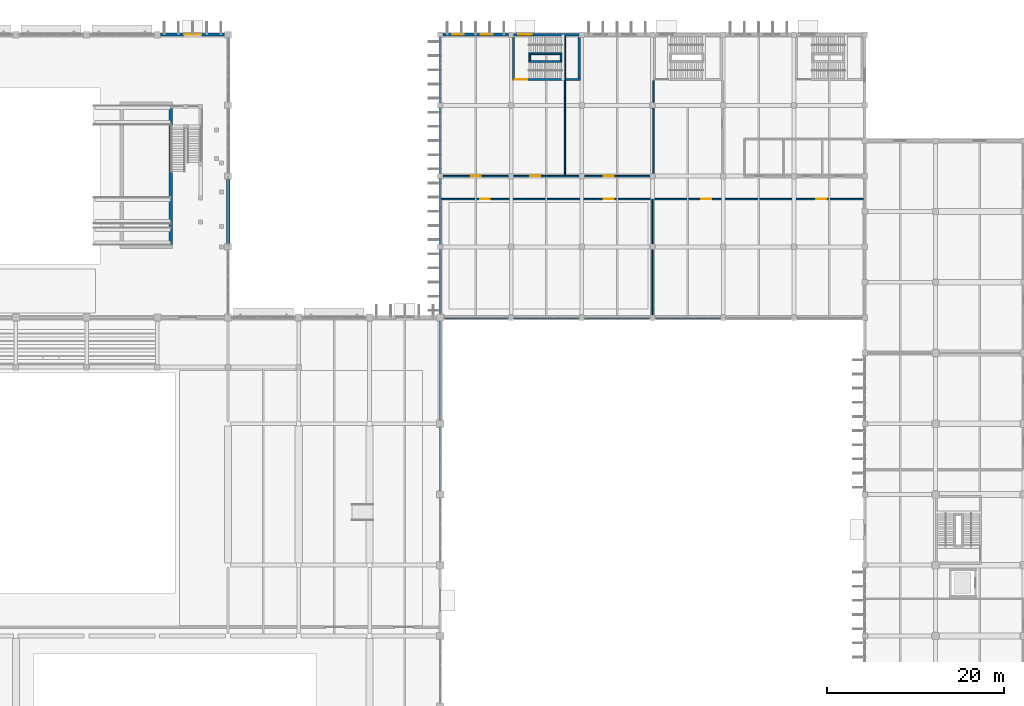
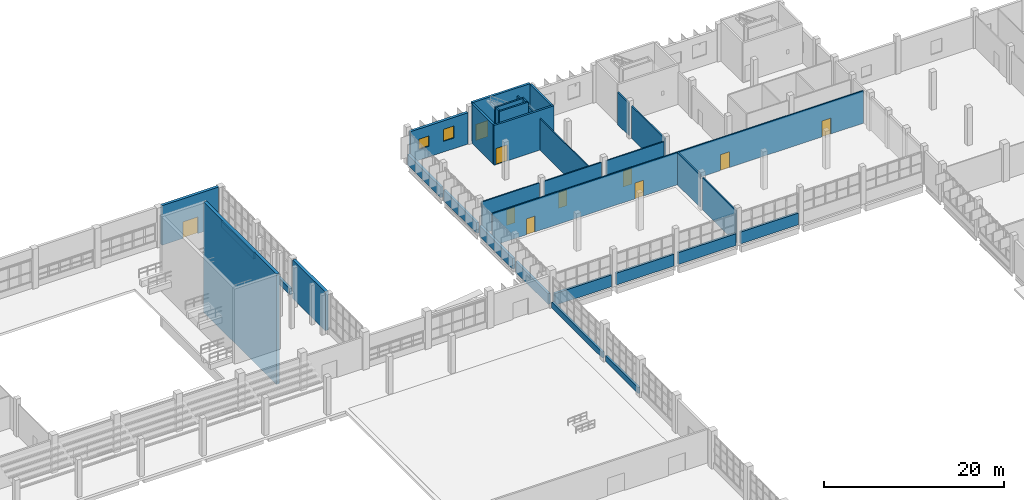
# One storey, part 78 of 103: 33 walls, 10 doors, 2 windows, 12 openings.
"""IFC4 building model written with IfcOpenShell, lengths in metres."""

from ifc_helpers import new_model, si_unit, direction, frame, frame_2d, origin, place, context, subcontext, project, spatial, rectangle, extrude, material, layer, layer_set, type_object, element, fill, save


model = new_model("IFC4")

# Units and contexts
model_context = context("Model", 3, precision=1e-05, world=origin(), true_north=direction((0.0, 1.0)))
body_context = subcontext(model_context, "Body", "Model", "MODEL_VIEW")
ifc_project = project(units=[si_unit("LENGTHUNIT", "METRE"), si_unit("AREAUNIT", "SQUARE_METRE"), si_unit("VOLUMEUNIT", "CUBIC_METRE"), si_unit("PLANEANGLEUNIT", "RADIAN"), si_unit("MASSUNIT", "GRAM", prefix="KILO")], contexts=[model_context])

# Site, building, storey
site_placement = place(None, origin())
site = spatial("IfcSite", under=ifc_project, at=site_placement, CompositionType="ELEMENT")
building_placement = place(site_placement, origin())
building = spatial("IfcBuilding", under=site, at=building_placement, Name="Drelvana Railside Aquatics Centre", CompositionType="ELEMENT")
storey_placement = place(building_placement, origin())
storey = spatial("IfcBuildingStorey", under=building, at=storey_placement, Name="L00", CompositionType="ELEMENT", Elevation=0.0)

# Walls
ifc_material_1 = material(Name="Concrete blockwork compartment wall", Category="masonry")
ifc_layer_1 = layer(ifc_material_1, 0.18505859375, Name="Concrete blockwork compartment wall")
ifc_layer_set_1 = layer_set([ifc_layer_1], Name="Concrete blockwork compartment wall")
wall_type_1 = type_object("IfcWallType", Name="WL-COMP-185", PredefinedType="STANDARD", material=ifc_layer_set_1)
wall_1_placement = place(storey_placement, frame((120.10009765625, 100.302001953125, 0.0), z_axis=(0.0, 0.0, 1.0), x_axis=(0.0, 1.0, 0.0)))
element("IfcWall", 1, at=wall_1_placement, inside=storey, type_object=wall_type_1, Name="L00 Stair passage west wall", PredefinedType="STANDARD", context=body_context, shape_type="SweptSolid", body=[
    extrude(rectangle(XDim=7.39599609375, YDim=0.18505859375, at=frame_2d((3.697998046875, 0.0))), origin(), (0.0, 0.0, 1.0), 4.405029296875),
])
wall_2_placement = place(storey_placement, frame((120.10009765625, 108.302001953125, 0.0), z_axis=(0.0, 0.0, 1.0), x_axis=(0.0, 1.0, 0.0)))
element("IfcWall", 2, at=wall_2_placement, inside=storey, type_object=wall_type_1, Name="L00 Stair passage west wall", PredefinedType="STANDARD", context=body_context, shape_type="SweptSolid", body=[
    extrude(rectangle(XDim=2.49609375, YDim=0.18505859375, at=frame_2d((1.248046875, 0.0))), origin(), (0.0, 0.0, 1.0), 4.405029296875),
])

# Wall, opening, door
ifc_material_2 = material(Name="Concrete C40/50", Category="concrete")
ifc_layer_2 = layer(ifc_material_2, 0.25, Name="Concrete C40/50")
ifc_layer_set_2 = layer_set([ifc_layer_2], Name="Concrete C40/50")
wall_type_2 = type_object("IfcWallType", Name="WL-CORE-250", PredefinedType="SHEAR", material=ifc_layer_set_2)
wall_3_placement = place(storey_placement, frame((104.14990234375, 110.925048828125, 0.0), z_axis=(0.0, 0.0, 1.0), x_axis=(1.0, 0.0, 0.0)))
wall_3 = element("IfcWall", 3, at=wall_3_placement, inside=storey, type_object=wall_type_2, Name="Core 11 Changing Pavilion North-West S core wall (L00)", PredefinedType="SHEAR", context=body_context, shape_type="SweptSolid", body=[
    extrude(rectangle(XDim=7.7001953125, YDim=0.25, at=frame_2d((3.85009765625, 0.0))), origin(), (0.0, 0.0, 1.0), 5.39990234375),
])
opening_1_placement = place(wall_3_placement, frame((0.25, 0.0, 0.0)))
opening_1 = element("IfcOpeningElement", 4, at=opening_1_placement, cuts=wall_3, Name="Opening D-01-091", PredefinedType="OPENING", context=body_context, shape_type="SweptSolid", body=[
    extrude(rectangle(XDim=1.449951171875, YDim=2.199951171875, at=frame_2d((0.72509765625, 1.10009765625))), frame((0.0, 0.135009765625, 0.0), z_axis=(0.0, -1.0, 0.0), x_axis=(1.0, 0.0, 0.0)), (0.0, 0.0, 1.0), 0.27001953125),
])
ifc_material_3 = material(Name="Fire-rated steel and vision-panel door", Category="steel")
door_type_1 = type_object("IfcDoorType", Name="DR-INT-STAIR-1450x2200", OperationType="DOUBLE_DOOR_SINGLE_SWING", PredefinedType="DOOR", material=ifc_material_3)
door_1_placement = place(opening_1_placement, origin())
door_1 = element("IfcDoor", 5, at=door_1_placement, inside=storey, type_object=door_type_1, Name="Stair ST-11 lobby door D-01-091", OperationType="DOUBLE_DOOR_SINGLE_SWING", OverallHeight=2.199951171875, OverallWidth=1.449951171875, PredefinedType="DOOR", context=body_context, shape_type="SweptSolid", body=[
    extrude(rectangle(XDim=1.449951171875, YDim=2.199951171875, at=frame_2d((0.72509765625, 1.10009765625))), frame((0.0, 0.02490234375, 0.0), z_axis=(0.0, -1.0, 0.0), x_axis=(1.0, 0.0, 0.0)), (0.0, 0.0, 1.0), 0.050048828125),
])
fill(opening_1, door_1)

# Walls
for number, where, z_axis, x_axis, name in (
    (6, (104.27490234375, 111.050048828125, 0.0), (0.0, 0.0, 1.0), (0.0, 1.0, 0.0), "Core 11 Changing Pavilion North-West W core wall (L00)"),
    (7, (111.72509765625, 111.050048828125, 0.0), (0.0, 0.0, 1.0), (0.0, 1.0, 0.0), "Core 11 Changing Pavilion North-West E core wall (L00)"),
):
    element("IfcWall", number, at=place(storey_placement, frame(where, z_axis=z_axis, x_axis=x_axis)), inside=storey, type_object=wall_type_2, Name=name, PredefinedType="SHEAR", context=body_context, shape_type="SweptSolid", body=[
        extrude(rectangle(XDim=4.699951171875, YDim=0.25, at=frame_2d((2.35009765625, 0.0))), origin(), (0.0, 0.0, 1.0), 5.39990234375),
    ])

# Wall, opening, door
ifc_layer_3 = layer(ifc_material_2, 0.300048828125, Name="Concrete C40/50")
ifc_layer_set_3 = layer_set([ifc_layer_3], Name="Concrete C40/50")
wall_type_3 = type_object("IfcWallType", Name="WL-CORE-300", PredefinedType="SHEAR", material=ifc_layer_set_3)
wall_4_placement = place(storey_placement, frame((104.2958984375, 116.0, 0.0), z_axis=(0.0, 0.0, 1.0), x_axis=(1.0, 0.0, 0.0)))
wall_4 = element("IfcWall", 8, at=wall_4_placement, inside=storey, type_object=wall_type_3, Name="Core 11 north L00 shear wall", PredefinedType="SHEAR", context=body_context, shape_type="SweptSolid", body=[
    extrude(rectangle(XDim=7.408203125, YDim=0.300048828125, at=frame_2d((3.7041015625, 0.0))), origin(), (0.0, 0.0, 1.0), 5.39990234375),
])
opening_2_placement = place(wall_4_placement, frame((0.50390625, 0.0, 0.0)))
opening_2 = element("IfcOpeningElement", 9, at=opening_2_placement, cuts=wall_4, Name="Opening EX-03-014", PredefinedType="OPENING", context=body_context, shape_type="SweptSolid", body=[
    extrude(rectangle(XDim=1.550048828125, YDim=2.199951171875, at=frame_2d((0.77490234375, 1.10009765625))), frame((0.0, 0.159912109375, 0.0), z_axis=(0.0, -1.0, 0.0), x_axis=(1.0, 0.0, 0.0)), (0.0, 0.0, 1.0), 0.320068359375),
])
ifc_material_4 = material(Name="Thermally broken bronze-anodised aluminium and glazed door", Category="aluminium")
door_type_2 = type_object("IfcDoorType", Name="DR-EXT-EXIT-1550x2200", OperationType="DOUBLE_DOOR_SINGLE_SWING", PredefinedType="DOOR", material=ifc_material_4)
door_2_placement = place(opening_2_placement, origin())
door_2 = element("IfcDoor", 10, at=door_2_placement, inside=storey, type_object=door_type_2, Name="Stair ST-11 final exit door EX-03-014", OperationType="DOUBLE_DOOR_SINGLE_SWING", OverallHeight=2.199951171875, OverallWidth=1.550048828125, PredefinedType="DOOR", context=body_context, shape_type="SweptSolid", body=[
    extrude(rectangle(XDim=1.550048828125, YDim=2.199951171875, at=frame_2d((0.77490234375, 1.10009765625))), frame((0.0, 0.02490234375, 0.0), z_axis=(0.0, -1.0, 0.0), x_axis=(1.0, 0.0, 0.0)), (0.0, 0.0, 1.0), 0.050048828125),
])
fill(opening_2, door_2)

# Walls
ifc_layer_4 = layer(ifc_material_2, 0.39990234375, Name="Concrete C40/50")
ifc_layer_set_4 = layer_set([ifc_layer_4], Name="Concrete C40/50")
wall_type_4 = type_object("IfcWallType", Name="WL-DV-400", PredefinedType="SHEAR", material=ifc_layer_set_4)
wall_5_placement = place(storey_placement, frame((65.5, 92.0, -4.800048828125), z_axis=(0.0, 0.0, 1.0), x_axis=(0.0, 1.0, 0.0)))
element("IfcWall", 11, at=wall_5_placement, inside=storey, type_object=wall_type_4, Name="Diving platform tower E shear wall", PredefinedType="SHEAR", context=body_context, shape_type="SweptSolid", body=[
    extrude(rectangle(XDim=16.199951171875, YDim=0.39990234375, at=frame_2d((8.10009765625, 0.0))), origin(), (0.0, 0.0, 1.0), 15.0),
])
ifc_material_5 = material(Name="Glazed ceramic and masonry facade wall", Category="masonry")
ifc_layer_5 = layer(ifc_material_5, 0.2900390625, Name="Glazed ceramic and masonry facade wall")
ifc_layer_set_5 = layer_set([ifc_layer_5], Name="Glazed ceramic and masonry facade wall")
wall_type_5 = type_object("IfcWallType", Name="WL-EXT-290", PredefinedType="STANDARD", material=ifc_layer_set_5)
wall_6_placement = place(storey_placement, frame((96.0, 64.39599609375, 0.0), z_axis=(0.0, 0.0, 1.0), x_axis=(0.0, 1.0, 0.0)))
element("IfcWall", 12, at=wall_6_placement, inside=storey, type_object=wall_type_5, Name="V1 East court plinth", PredefinedType="STANDARD", context=body_context, shape_type="SweptSolid", body=[
    extrude(rectangle(XDim=7.2080078125, YDim=0.2900390625, at=frame_2d((3.60400390625, 0.0))), origin(), (0.0, 0.0, 1.0), 0.800048828125),
])
wall_7_placement = place(storey_placement, frame((96.0, 72.39599609375, 0.0), z_axis=(0.0, 0.0, 1.0), x_axis=(0.0, 1.0, 0.0)))
element("IfcWall", 13, at=wall_7_placement, inside=storey, type_object=wall_type_5, Name="V1 East court plinth", PredefinedType="STANDARD", context=body_context, shape_type="SweptSolid", body=[
    extrude(rectangle(XDim=11.2080078125, YDim=0.2900390625, at=frame_2d((5.60400390625, 0.0))), origin(), (0.0, 0.0, 1.0), 0.800048828125),
])
wall_8_placement = place(storey_placement, frame((96.39599609375, 84.0, 0.0), z_axis=(0.0, 0.0, 1.0), x_axis=(1.0, 0.0, 0.0)))
element("IfcWall", 14, at=wall_8_placement, inside=storey, type_object=wall_type_5, Name="Changing pavilion privacy sill wall", PredefinedType="STANDARD", context=body_context, shape_type="SweptSolid", body=[
    extrude(rectangle(XDim=7.30810546875, YDim=0.2900390625, at=frame_2d((3.654052734375, 0.0))), origin(), (0.0, 0.0, 1.0), 1.60009765625),
])
for number, where, z_axis, x_axis, name in (
    (15, (104.2958984375, 84.0, 0.0), (0.0, 0.0, 1.0), (1.0, 0.0, 0.0), "Changing pavilion privacy sill wall"),
    (16, (112.2958984375, 84.0, 0.0), (0.0, 0.0, 1.0), (1.0, 0.0, 0.0), "Changing pavilion privacy sill wall"),
    (17, (120.2958984375, 84.0, 0.0), (0.0, 0.0, 1.0), (1.0, 0.0, 0.0), "Changing pavilion privacy sill wall"),
):
    element("IfcWall", number, at=place(storey_placement, frame(where, z_axis=z_axis, x_axis=x_axis)), inside=storey, type_object=wall_type_5, Name=name, PredefinedType="STANDARD", context=body_context, shape_type="SweptSolid", body=[
        extrude(rectangle(XDim=7.408203125, YDim=0.2900390625, at=frame_2d((3.7041015625, 0.0))), origin(), (0.0, 0.0, 1.0), 1.60009765625),
    ])
ifc_material_6 = material(Name="Terracotta rainscreen masonry wall", Category="masonry")
ifc_layer_6 = layer(ifc_material_6, 0.31005859375, Name="Terracotta rainscreen masonry wall")
ifc_layer_set_6 = layer_set([ifc_layer_6], Name="Terracotta rainscreen masonry wall")
wall_type_6 = type_object("IfcWallType", Name="WL-EXT-310", PredefinedType="STANDARD", material=ifc_layer_set_6)
for number, where, z_axis, x_axis, name in (
    (18, (72.0, 100.37109375, 0.0), (0.0, 0.0, 1.0), (0.0, 1.0, 0.0), "Diving Hall East plinth"),
    (19, (72.0, 108.37109375, 0.0), (0.0, 0.0, 1.0), (0.0, 1.0, 0.0), "Diving Hall East plinth"),
):
    element("IfcWall", number, at=place(storey_placement, frame(where, z_axis=z_axis, x_axis=x_axis)), inside=storey, type_object=wall_type_6, Name=name, PredefinedType="STANDARD", context=body_context, shape_type="SweptSolid", body=[
        extrude(rectangle(XDim=7.2578125, YDim=0.31005859375, at=frame_2d((3.62890625, 0.0))), origin(), (0.0, 0.0, 1.0), 0.85009765625),
    ])
wall_9_placement = place(storey_placement, frame((96.0, 84.39599609375, 0.0), z_axis=(0.0, 0.0, 1.0), x_axis=(0.0, 1.0, 0.0)))
element("IfcWall", 20, at=wall_9_placement, inside=storey, type_object=wall_type_6, Name="Changing pavilion west sill wall 84", PredefinedType="STANDARD", context=body_context, shape_type="SweptSolid", body=[
    extrude(rectangle(XDim=7.30810546875, YDim=0.31005859375, at=frame_2d((3.654052734375, 0.0))), origin(), (0.0, 0.0, 1.0), 1.449951171875),
])
for number, where, z_axis, x_axis, name in (
    (21, (96.0, 92.2958984375, 0.0), (0.0, 0.0, 1.0), (0.0, 1.0, 0.0), "Changing pavilion west sill wall 92"),
    (22, (96.0, 100.2958984375, 0.0), (0.0, 0.0, 1.0), (0.0, 1.0, 0.0), "Changing pavilion west sill wall 100"),
    (23, (96.0, 108.2958984375, 0.0), (0.0, 0.0, 1.0), (0.0, 1.0, 0.0), "Changing pavilion west sill wall 108"),
):
    element("IfcWall", number, at=place(storey_placement, frame(where, z_axis=z_axis, x_axis=x_axis)), inside=storey, type_object=wall_type_6, Name=name, PredefinedType="STANDARD", context=body_context, shape_type="SweptSolid", body=[
        extrude(rectangle(XDim=7.408203125, YDim=0.31005859375, at=frame_2d((3.7041015625, 0.0))), origin(), (0.0, 0.0, 1.0), 1.449951171875),
    ])

# Wall, openings, windows
ifc_material_7 = material(Name="Abuja granite ashlar cavity wall", Category="masonry")
ifc_layer_7 = layer(ifc_material_7, 0.330078125, Name="Abuja granite ashlar cavity wall")
ifc_layer_set_7 = layer_set([ifc_layer_7], Name="Abuja granite ashlar cavity wall")
wall_type_7 = type_object("IfcWallType", Name="WL-EXT-330", PredefinedType="STANDARD", material=ifc_layer_set_7)
wall_10_placement = place(storey_placement, frame((96.2958984375, 116.0, 0.0), z_axis=(0.0, 0.0, 1.0), x_axis=(1.0, 0.0, 0.0)))
wall_10 = element("IfcWall", 24, at=wall_10_placement, inside=storey, type_object=wall_type_7, Name="Changing north wall 96", PredefinedType="STANDARD", context=body_context, shape_type="SweptSolid", body=[
    extrude(rectangle(XDim=7.408203125, YDim=0.330078125, at=frame_2d((3.7041015625, 0.0))), origin(), (0.0, 0.0, 1.0), 4.25),
])
opening_3_placement = place(wall_10_placement, frame((1.083984375, 0.0, 1.449951171875)))
opening_3 = element("IfcOpeningElement", 25, at=opening_3_placement, cuts=wall_10, Name="Opening W-13", PredefinedType="OPENING", context=body_context, shape_type="SweptSolid", body=[
    extrude(rectangle(XDim=1.300048828125, YDim=1.39990234375, at=frame_2d((0.64990234375, 0.699951171875))), frame((0.0, 0.175048828125, 0.0), z_axis=(0.0, -1.0, 0.0), x_axis=(1.0, 0.0, 0.0)), (0.0, 0.0, 1.0), 0.35009765625),
])
opening_4_placement = place(wall_10_placement, frame((4.283935546875, 0.0, 1.449951171875)))
opening_4 = element("IfcOpeningElement", 26, at=opening_4_placement, cuts=wall_10, Name="Opening W-14", PredefinedType="OPENING", context=body_context, shape_type="SweptSolid", body=[
    extrude(rectangle(XDim=1.35009765625, YDim=1.64990234375, at=frame_2d((0.675048828125, 0.824951171875))), frame((0.0, 0.175048828125, 0.0), z_axis=(0.0, -1.0, 0.0), x_axis=(1.0, 0.0, 0.0)), (0.0, 0.0, 1.0), 0.35009765625),
])
ifc_material_8 = material(Name="Double-glazed solar-control aluminium window", Category="aluminium")
window_type_1 = type_object("IfcWindowType", Name="WIN-13", PartitioningType="SINGLE_PANEL", PredefinedType="WINDOW", material=ifc_material_8)
window_1_placement = place(opening_3_placement, origin())
window_1 = element("IfcWindow", 27, at=window_1_placement, inside=storey, type_object=window_type_1, Name="Changing high-level window WIN-13", OverallHeight=1.39990234375, OverallWidth=1.300048828125, PartitioningType="SINGLE_PANEL", PredefinedType="WINDOW", context=body_context, shape_type="SweptSolid", body=[
    extrude(rectangle(XDim=1.300048828125, YDim=1.39990234375, at=frame_2d((0.64990234375, 0.699951171875))), frame((0.0, 0.030029296875, 0.0), z_axis=(0.0, -1.0, 0.0), x_axis=(1.0, 0.0, 0.0)), (0.0, 0.0, 1.0), 0.06005859375),
])
fill(opening_3, window_1)
window_type_2 = type_object("IfcWindowType", Name="WIN-14", PartitioningType="SINGLE_PANEL", PredefinedType="WINDOW", material=ifc_material_8)
window_2_placement = place(opening_4_placement, origin())
window_2 = element("IfcWindow", 28, at=window_2_placement, inside=storey, type_object=window_type_2, Name="Changing high-level window WIN-14", OverallHeight=1.64990234375, OverallWidth=1.35009765625, PartitioningType="SINGLE_PANEL", PredefinedType="WINDOW", context=body_context, shape_type="SweptSolid", body=[
    extrude(rectangle(XDim=1.35009765625, YDim=1.64990234375, at=frame_2d((0.675048828125, 0.824951171875))), frame((0.0, 0.030029296875, 0.0), z_axis=(0.0, -1.0, 0.0), x_axis=(1.0, 0.0, 0.0)), (0.0, 0.0, 1.0), 0.06005859375),
])
fill(opening_4, window_2)

# Wall, opening, door
ifc_material_9 = material(Name="Polychrome brick and stone cavity wall", Category="masonry")
ifc_layer_8 = layer(ifc_material_9, 0.360107421875, Name="Polychrome brick and stone cavity wall")
ifc_layer_set_8 = layer_set([ifc_layer_8], Name="Polychrome brick and stone cavity wall")
wall_type_8 = type_object("IfcWallType", Name="WL-EXT-360", PredefinedType="STANDARD", material=ifc_layer_set_8)
wall_11_placement = place(storey_placement, frame((64.37109375, 116.0, 0.0), z_axis=(0.0, 0.0, 1.0), x_axis=(1.0, 0.0, 0.0)))
wall_11 = element("IfcWall", 29, at=wall_11_placement, inside=storey, type_object=wall_type_8, Name="V2N exit bay wall 10", PredefinedType="STANDARD", context=body_context, shape_type="SweptSolid", body=[
    extrude(rectangle(XDim=7.2578125, YDim=0.360107421875, at=frame_2d((3.62890625, 0.0))), origin(), (0.0, 0.0, 1.0), 5.389892578125),
])
opening_5_placement = place(wall_11_placement, frame((2.654052734375, 0.0, 0.0)))
opening_5 = element("IfcOpeningElement", 30, at=opening_5_placement, cuts=wall_11, Name="Opening EX-04-005", PredefinedType="OPENING", context=body_context, shape_type="SweptSolid", body=[
    extrude(rectangle(XDim=1.949951171875, YDim=2.25, at=frame_2d((0.97509765625, 1.125))), frame((0.0, 0.18994140625, 0.0), z_axis=(0.0, -1.0, 0.0), x_axis=(1.0, 0.0, 0.0)), (0.0, 0.0, 1.0), 0.380126953125),
])
door_type_3 = type_object("IfcDoorType", Name="DR-EXT-EXIT-1950x2250", OperationType="DOUBLE_DOOR_SINGLE_SWING", PredefinedType="DOOR", material=ifc_material_4)
door_3_placement = place(opening_5_placement, origin())
door_3 = element("IfcDoor", 31, at=door_3_placement, inside=storey, type_object=door_type_3, Name="North hall exit door EX-04-005", OperationType="DOUBLE_DOOR_SINGLE_SWING", OverallHeight=2.25, OverallWidth=1.949951171875, PredefinedType="DOOR", context=body_context, shape_type="SweptSolid", body=[
    extrude(rectangle(XDim=1.949951171875, YDim=2.25, at=frame_2d((0.97509765625, 1.125))), frame((0.0, 0.02490234375, 0.0), z_axis=(0.0, -1.0, 0.0), x_axis=(1.0, 0.0, 0.0)), (0.0, 0.0, 1.0), 0.050048828125),
])
fill(opening_5, door_3)

# Walls
ifc_material_10 = material(Name="Heavy thermal-mass stone facade wall", Category="masonry")
ifc_layer_9 = layer(ifc_material_10, 0.389892578125, Name="Heavy thermal-mass stone facade wall")
ifc_layer_set_9 = layer_set([ifc_layer_9], Name="Heavy thermal-mass stone facade wall")
wall_type_9 = type_object("IfcWallType", Name="WL-EXT-390", PredefinedType="STANDARD", material=ifc_layer_set_9)
wall_12_placement = place(storey_placement, frame((72.0, 92.37109375, 0.0), z_axis=(0.0, 0.0, 1.0), x_axis=(0.0, 1.0, 0.0)))
element("IfcWall", 32, at=wall_12_placement, inside=storey, type_object=wall_type_9, Name="Diving Hall East braced bay wall", PredefinedType="STANDARD", context=body_context, shape_type="SweptSolid", body=[
    extrude(rectangle(XDim=7.2578125, YDim=0.389892578125, at=frame_2d((3.62890625, 0.0))), origin(), (0.0, 0.0, 1.0), 5.25),
])
ifc_layer_10 = layer(ifc_material_2, 0.199951171875, Name="Concrete C40/50")
ifc_layer_set_10 = layer_set([ifc_layer_10], Name="Concrete C40/50")
wall_type_10 = type_object("IfcWallType", Name="WL-SHFT-200", PredefinedType="SHEAR", material=ifc_layer_set_10)
for number, where, z_axis, x_axis, name in (
    (33, (106.02001953125, 112.949951171875, 0.0), (0.0, 0.0, 1.0), (1.0, 0.0, 0.0), "Stair ST-11 central spine wall A (L00)"),
    (34, (106.02001953125, 113.85009765625, 0.0), (0.0, 0.0, 1.0), (1.0, 0.0, 0.0), "Stair ST-11 central spine wall B (L00)"),
):
    element("IfcWall", number, at=place(storey_placement, frame(where, z_axis=z_axis, x_axis=x_axis)), inside=storey, type_object=wall_type_10, Name=name, PredefinedType="SHEAR", context=body_context, shape_type="SweptSolid", body=[
        extrude(rectangle(XDim=3.719970703125, YDim=0.199951171875, at=frame_2d((1.85986328125, 0.0))), origin(), (0.0, 0.0, 1.0), 5.39990234375),
    ])
for number, where, z_axis, x_axis, name in (
    (35, (106.1201171875, 113.050048828125, 0.0), (0.0, 0.0, 1.0), (0.0, 1.0, 0.0), "Stair ST-11 central spine wall W (L00)"),
    (36, (109.639892578125, 113.050048828125, 0.0), (0.0, 0.0, 1.0), (0.0, 1.0, 0.0), "Stair ST-11 central spine wall E (L00)"),
):
    element("IfcWall", number, at=place(storey_placement, frame(where, z_axis=z_axis, x_axis=x_axis)), inside=storey, type_object=wall_type_10, Name=name, PredefinedType="SHEAR", context=body_context, shape_type="SweptSolid", body=[
        extrude(rectangle(XDim=0.699951171875, YDim=0.199951171875, at=frame_2d((0.35009765625, 0.0))), origin(), (0.0, 0.0, 1.0), 5.39990234375),
    ])
ifc_material_11 = material(Name="Moisture-resistant tiled plumbing chase wall", Category="masonry")
ifc_layer_11 = layer(ifc_material_11, 0.139892578125, Name="Moisture-resistant tiled plumbing chase wall")
ifc_layer_set_11 = layer_set([ifc_layer_11], Name="Moisture-resistant tiled plumbing chase wall")
wall_type_11 = type_object("IfcWallType", Name="WL-WET-140", PredefinedType="PLUMBINGWALL", material=ifc_layer_set_11)
wall_13_placement = place(storey_placement, frame((110.10009765625, 100.0, 0.0), z_axis=(0.0, 0.0, 1.0), x_axis=(0.0, 1.0, 0.0)))
element("IfcWall", 37, at=wall_13_placement, inside=storey, type_object=wall_type_11, Name="L00 Family-Shower divider", PredefinedType="PLUMBINGWALL", context=body_context, shape_type="SweptSolid", body=[
    extrude(rectangle(XDim=15.840087890625, YDim=0.139892578125, at=frame_2d((7.919921875, 0.0))), origin(), (0.0, 0.0, 1.0), 4.304931640625),
])

# Wall, openings, doors
ifc_material_12 = material(Name="Water-resistant ceramic-tiled block partition", Category="masonry")
ifc_layer_12 = layer(ifc_material_12, 0.159912109375, Name="Water-resistant ceramic-tiled block partition")
ifc_layer_set_12 = layer_set([ifc_layer_12], Name="Water-resistant ceramic-tiled block partition")
wall_type_12 = type_object("IfcWallType", Name="WL-WET-160", PredefinedType="PARTITIONING", material=ifc_layer_set_12)
wall_14_placement = place(storey_placement, frame((96.14990234375, 97.39990234375, 0.0), z_axis=(0.0, 0.0, 1.0), x_axis=(1.0, 0.0, 0.0)))
wall_14 = element("IfcWall", 38, at=wall_14_placement, inside=storey, type_object=wall_type_12, Name="L00 Changing south corridor wall", PredefinedType="PARTITIONING", context=body_context, shape_type="SweptSolid", body=[
    extrude(rectangle(XDim=47.7001953125, YDim=0.159912109375, at=frame_2d((23.85009765625, 0.0))), origin(), (0.0, 0.0, 1.0), 4.405029296875),
])
opening_6_placement = place(wall_14_placement, frame((4.35009765625, 0.0, 0.0)))
opening_6 = element("IfcOpeningElement", 39, at=opening_6_placement, cuts=wall_14, Name="Opening D-08-159", PredefinedType="OPENING", context=body_context, shape_type="SweptSolid", body=[
    extrude(rectangle(XDim=1.10009765625, YDim=2.14990234375, at=frame_2d((0.550048828125, 1.074951171875))), frame((0.0, 0.08984375, 0.0), z_axis=(0.0, -1.0, 0.0), x_axis=(1.0, 0.0, 0.0)), (0.0, 0.0, 1.0), 0.179931640625),
])
opening_7_placement = place(wall_14_placement, frame((18.35009765625, 0.0, 0.0)))
opening_7 = element("IfcOpeningElement", 40, at=opening_7_placement, cuts=wall_14, Name="Opening D-08-160", PredefinedType="OPENING", context=body_context, shape_type="SweptSolid", body=[
    extrude(rectangle(XDim=1.10009765625, YDim=2.14990234375, at=frame_2d((0.550048828125, 1.074951171875))), frame((0.0, 0.08984375, 0.0), z_axis=(0.0, -1.0, 0.0), x_axis=(1.0, 0.0, 0.0)), (0.0, 0.0, 1.0), 0.179931640625),
])
opening_8_placement = place(wall_14_placement, frame((29.35009765625, 0.0, 0.0)))
opening_8 = element("IfcOpeningElement", 41, at=opening_8_placement, cuts=wall_14, Name="Opening D-17-161", PredefinedType="OPENING", context=body_context, shape_type="SweptSolid", body=[
    extrude(rectangle(XDim=1.14990234375, YDim=2.14990234375, at=frame_2d((0.574951171875, 1.074951171875))), frame((0.0, 0.08984375, 0.0), z_axis=(0.0, -1.0, 0.0), x_axis=(1.0, 0.0, 0.0)), (0.0, 0.0, 1.0), 0.179931640625),
])
opening_9_placement = place(wall_14_placement, frame((42.35009765625, 0.0, 0.0)))
opening_9 = element("IfcOpeningElement", 42, at=opening_9_placement, cuts=wall_14, Name="Opening D-17-162", PredefinedType="OPENING", context=body_context, shape_type="SweptSolid", body=[
    extrude(rectangle(XDim=1.14990234375, YDim=2.14990234375, at=frame_2d((0.574951171875, 1.074951171875))), frame((0.0, 0.08984375, 0.0), z_axis=(0.0, -1.0, 0.0), x_axis=(1.0, 0.0, 0.0)), (0.0, 0.0, 1.0), 0.179931640625),
])
ifc_material_13 = material(Name="Moisture-resistant phenolic changing door", Category="wood")
door_type_4 = type_object("IfcDoorType", Name="DR-INT-CHG-1100x2150", OperationType="NOTDEFINED", PredefinedType="DOOR", material=ifc_material_13)
door_4_placement = place(opening_6_placement, origin())
door_4 = element("IfcDoor", 43, at=door_4_placement, inside=storey, type_object=door_type_4, Name="L00 Public changing west door D-08-159", OperationType="SINGLE_SWING_RIGHT", OverallHeight=2.14990234375, OverallWidth=1.10009765625, PredefinedType="DOOR", context=body_context, shape_type="SweptSolid", body=[
    extrude(rectangle(XDim=1.10009765625, YDim=2.14990234375, at=frame_2d((0.550048828125, 1.074951171875))), frame((0.0, 0.02490234375, 0.0), z_axis=(0.0, -1.0, 0.0), x_axis=(1.0, 0.0, 0.0)), (0.0, 0.0, 1.0), 0.050048828125),
])
fill(opening_6, door_4)
door_5_placement = place(opening_7_placement, origin())
door_5 = element("IfcDoor", 44, at=door_5_placement, inside=storey, type_object=door_type_4, Name="L00 Public changing east door D-08-160", OperationType="SINGLE_SWING_LEFT", OverallHeight=2.14990234375, OverallWidth=1.10009765625, PredefinedType="DOOR", context=body_context, shape_type="SweptSolid", body=[
    extrude(rectangle(XDim=1.10009765625, YDim=2.14990234375, at=frame_2d((0.550048828125, 1.074951171875))), frame((0.0, 0.02490234375, 0.0), z_axis=(0.0, -1.0, 0.0), x_axis=(1.0, 0.0, 0.0)), (0.0, 0.0, 1.0), 0.050048828125),
])
fill(opening_7, door_5)
ifc_material_14 = material(Name="Team changing wide leaf door", Category="wood")
door_type_5 = type_object("IfcDoorType", Name="DR-INT-CHG-1150x2150", OperationType="NOTDEFINED", PredefinedType="DOOR", material=ifc_material_14)
door_6_placement = place(opening_8_placement, origin())
door_6 = element("IfcDoor", 45, at=door_6_placement, inside=storey, type_object=door_type_5, Name="L00 Team changing west door D-17-161", OperationType="SINGLE_SWING_RIGHT", OverallHeight=2.14990234375, OverallWidth=1.14990234375, PredefinedType="DOOR", context=body_context, shape_type="SweptSolid", body=[
    extrude(rectangle(XDim=1.14990234375, YDim=2.14990234375, at=frame_2d((0.574951171875, 1.074951171875))), frame((0.0, 0.02490234375, 0.0), z_axis=(0.0, -1.0, 0.0), x_axis=(1.0, 0.0, 0.0)), (0.0, 0.0, 1.0), 0.050048828125),
])
fill(opening_8, door_6)
door_7_placement = place(opening_9_placement, origin())
door_7 = element("IfcDoor", 46, at=door_7_placement, inside=storey, type_object=door_type_5, Name="L00 Team changing east door D-17-162", OperationType="SINGLE_SWING_LEFT", OverallHeight=2.14990234375, OverallWidth=1.14990234375, PredefinedType="DOOR", context=body_context, shape_type="SweptSolid", body=[
    extrude(rectangle(XDim=1.14990234375, YDim=2.14990234375, at=frame_2d((0.574951171875, 1.074951171875))), frame((0.0, 0.02490234375, 0.0), z_axis=(0.0, -1.0, 0.0), x_axis=(1.0, 0.0, 0.0)), (0.0, 0.0, 1.0), 0.050048828125),
])
fill(opening_9, door_7)

# Walls
wall_15_placement = place(storey_placement, frame((120.0, 84.302001953125, 0.0), z_axis=(0.0, 0.0, 1.0), x_axis=(0.0, 1.0, 0.0)))
element("IfcWall", 47, at=wall_15_placement, inside=storey, type_object=wall_type_12, Name="L00 Team-Public changing divider", PredefinedType="PARTITIONING", context=body_context, shape_type="SweptSolid", body=[
    extrude(rectangle(XDim=7.39599609375, YDim=0.159912109375, at=frame_2d((3.697998046875, 0.0))), origin(), (0.0, 0.0, 1.0), 4.405029296875),
])
wall_16_placement = place(storey_placement, frame((120.0, 92.302001953125, 0.0), z_axis=(0.0, 0.0, 1.0), x_axis=(0.0, 1.0, 0.0)))
element("IfcWall", 48, at=wall_16_placement, inside=storey, type_object=wall_type_12, Name="L00 Team-Public changing divider", PredefinedType="PARTITIONING", context=body_context, shape_type="SweptSolid", body=[
    extrude(rectangle(XDim=5.097900390625, YDim=0.159912109375, at=frame_2d((2.548828125, 0.0))), origin(), (0.0, 0.0, 1.0), 4.405029296875),
])

# Wall, opening, door
wall_17_placement = place(storey_placement, frame((96.302001953125, 100.0, 0.0), z_axis=(0.0, 0.0, 1.0), x_axis=(1.0, 0.0, 0.0)))
wall_17 = element("IfcWall", 49, at=wall_17_placement, inside=storey, type_object=wall_type_12, Name="L00 Changing north-west corridor wall", PredefinedType="PARTITIONING", context=body_context, shape_type="SweptSolid", body=[
    extrude(rectangle(XDim=7.39599609375, YDim=0.159912109375, at=frame_2d((3.697998046875, 0.0))), origin(), (0.0, 0.0, 1.0), 4.35498046875),
])
opening_10_placement = place(wall_17_placement, frame((3.197998046875, 0.0, 0.0)))
opening_10 = element("IfcOpeningElement", 50, at=opening_10_placement, cuts=wall_17, Name="Opening D-08-163", PredefinedType="OPENING", context=body_context, shape_type="SweptSolid", body=[
    extrude(rectangle(XDim=1.10009765625, YDim=2.14990234375, at=frame_2d((0.550048828125, 1.074951171875))), frame((0.0, 0.08984375, 0.0), z_axis=(0.0, -1.0, 0.0), x_axis=(1.0, 0.0, 0.0)), (0.0, 0.0, 1.0), 0.179931640625),
])
door_8_placement = place(opening_10_placement, origin())
door_8 = element("IfcDoor", 51, at=door_8_placement, inside=storey, type_object=door_type_4, Name="Family changing west door D-08-163", OperationType="SINGLE_SWING_RIGHT", OverallHeight=2.14990234375, OverallWidth=1.10009765625, PredefinedType="DOOR", context=body_context, shape_type="SweptSolid", body=[
    extrude(rectangle(XDim=1.10009765625, YDim=2.14990234375, at=frame_2d((0.550048828125, 1.074951171875))), frame((0.0, 0.02490234375, 0.0), z_axis=(0.0, -1.0, 0.0), x_axis=(1.0, 0.0, 0.0)), (0.0, 0.0, 1.0), 0.050048828125),
])
fill(opening_10, door_8)

wall_18_placement = place(storey_placement, frame((104.302001953125, 100.0, 0.0), z_axis=(0.0, 0.0, 1.0), x_axis=(1.0, 0.0, 0.0)))
wall_18 = element("IfcWall", 52, at=wall_18_placement, inside=storey, type_object=wall_type_12, Name="L00 Changing north-west corridor wall", PredefinedType="PARTITIONING", context=body_context, shape_type="SweptSolid", body=[
    extrude(rectangle(XDim=7.39599609375, YDim=0.159912109375, at=frame_2d((3.697998046875, 0.0))), origin(), (0.0, 0.0, 1.0), 4.35498046875),
])
opening_11_placement = place(wall_18_placement, frame((1.89794921875, 0.0, 0.0)))
opening_11 = element("IfcOpeningElement", 53, at=opening_11_placement, cuts=wall_18, Name="Opening D-08-164", PredefinedType="OPENING", context=body_context, shape_type="SweptSolid", body=[
    extrude(rectangle(XDim=1.10009765625, YDim=2.14990234375, at=frame_2d((0.550048828125, 1.074951171875))), frame((0.0, 0.08984375, 0.0), z_axis=(0.0, -1.0, 0.0), x_axis=(1.0, 0.0, 0.0)), (0.0, 0.0, 1.0), 0.179931640625),
])
door_9_placement = place(opening_11_placement, origin())
door_9 = element("IfcDoor", 54, at=door_9_placement, inside=storey, type_object=door_type_4, Name="Family changing east door D-08-164", OperationType="SINGLE_SWING_LEFT", OverallHeight=2.14990234375, OverallWidth=1.10009765625, PredefinedType="DOOR", context=body_context, shape_type="SweptSolid", body=[
    extrude(rectangle(XDim=1.10009765625, YDim=2.14990234375, at=frame_2d((0.550048828125, 1.074951171875))), frame((0.0, 0.02490234375, 0.0), z_axis=(0.0, -1.0, 0.0), x_axis=(1.0, 0.0, 0.0)), (0.0, 0.0, 1.0), 0.050048828125),
])
fill(opening_11, door_9)

wall_19_placement = place(storey_placement, frame((112.302001953125, 100.0, 0.0), z_axis=(0.0, 0.0, 1.0), x_axis=(1.0, 0.0, 0.0)))
wall_19 = element("IfcWall", 55, at=wall_19_placement, inside=storey, type_object=wall_type_12, Name="L00 Changing north-west corridor wall", PredefinedType="PARTITIONING", context=body_context, shape_type="SweptSolid", body=[
    extrude(rectangle(XDim=7.39599609375, YDim=0.159912109375, at=frame_2d((3.697998046875, 0.0))), origin(), (0.0, 0.0, 1.0), 4.35498046875),
])
opening_12_placement = place(wall_19_placement, frame((2.197998046875, 0.0, 0.0)))
opening_12 = element("IfcOpeningElement", 56, at=opening_12_placement, cuts=wall_19, Name="Opening D-08-165", PredefinedType="OPENING", context=body_context, shape_type="SweptSolid", body=[
    extrude(rectangle(XDim=1.10009765625, YDim=2.14990234375, at=frame_2d((0.550048828125, 1.074951171875))), frame((0.0, 0.08984375, 0.0), z_axis=(0.0, -1.0, 0.0), x_axis=(1.0, 0.0, 0.0)), (0.0, 0.0, 1.0), 0.179931640625),
])
door_10_placement = place(opening_12_placement, origin())
door_10 = element("IfcDoor", 57, at=door_10_placement, inside=storey, type_object=door_type_4, Name="Cleansing shower hall door D-08-165", OperationType="SINGLE_SWING_RIGHT", OverallHeight=2.14990234375, OverallWidth=1.10009765625, PredefinedType="DOOR", context=body_context, shape_type="SweptSolid", body=[
    extrude(rectangle(XDim=1.10009765625, YDim=2.14990234375, at=frame_2d((0.550048828125, 1.074951171875))), frame((0.0, 0.02490234375, 0.0), z_axis=(0.0, -1.0, 0.0), x_axis=(1.0, 0.0, 0.0)), (0.0, 0.0, 1.0), 0.050048828125),
])
fill(opening_12, door_10)

save(model, "model.ifc")
